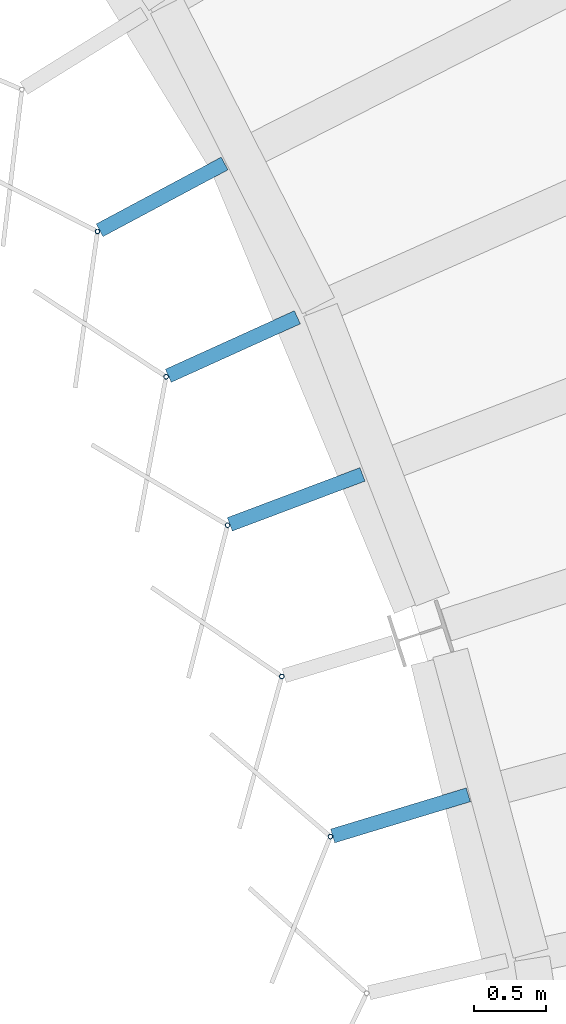
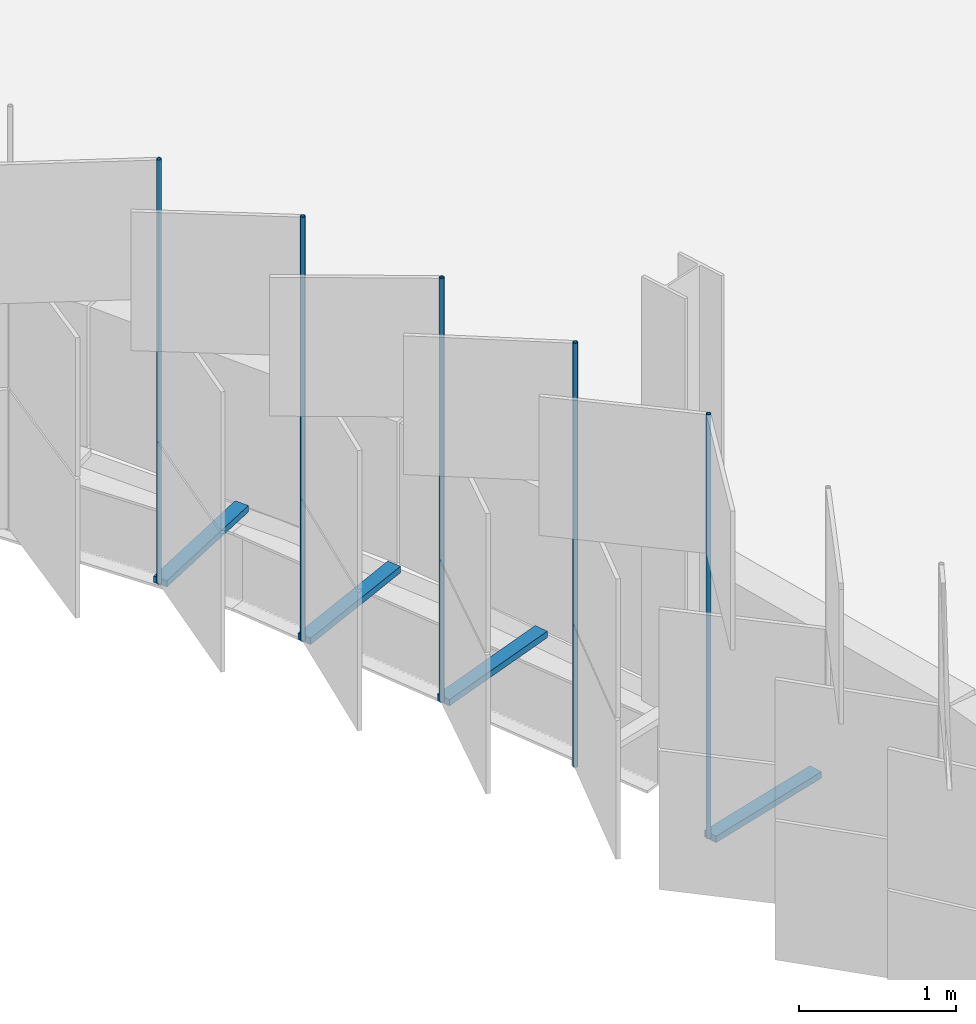
# One storey, part 102 of 198: 9 discrete accessories.
"""IFC4 building model written with IfcOpenShell, lengths in metres."""

import ifcopenshell
import ifcopenshell.guid

model = None  # the IFC model being written
_history = None  # IfcOwnerHistory: only IFC2X3 demands one
_inside = {}  # id of a spatial element -> (the spatial element, [elements in it])
_under = {}  # id of a project, library or spatial element -> (it, [spatial elements below it])
_declared = {}  # id of a project -> (the project, [libraries it declares])
_typed = {}  # id of a type object -> (the type object, [elements of that type])
_made_of = {}  # id of a material, layer set ... -> (it, [elements and type objects made of it])


def new_model(schema):
    """Start an empty IFC model of exactly this schema.

    Asked for "IFC4X3", IfcOpenShell would pick the latest addendum, in which some entities
    have other attributes; the version numbers below select the first issue.
    IFC2X3 requires an IfcOwnerHistory on every rooted entity: one is made here for all.
    """
    global model, _history
    if schema == "IFC4X3":
        model = ifcopenshell.file(schema_version=(4, 3, 0, 0))
    else:
        model = ifcopenshell.file(schema=schema)
    _inside.clear()
    _under.clear()
    _declared.clear()
    _typed.clear()
    _made_of.clear()
    _history = None
    if model.schema == "IFC2X3":
        org = make("IfcOrganization", Name="unknown")
        user = make(
            "IfcPersonAndOrganization",
            ThePerson=make("IfcPerson", FamilyName="unknown"),
            TheOrganization=org,
        )
        app = make(
            "IfcApplication",
            ApplicationDeveloper=org,
            Version="unknown",
            ApplicationFullName="unknown",
            ApplicationIdentifier="unknown",
        )
        _history = make(
            "IfcOwnerHistory",
            OwningUser=user,
            OwningApplication=app,
            ChangeAction="ADDED",
            CreationDate=0,
        )
    return model


def make(cls, **values):
    """One entity of the class cls with the attributes given. An attribute that is None is left unset."""
    return model.create_entity(
        cls, **{name: value for name, value in values.items() if value is not None}
    )


def rooted(cls, **values):
    """An entity with a GlobalId (a new one), such as an element, a storey or a relation."""
    return make(cls, GlobalId=ifcopenshell.guid.new(), OwnerHistory=_history, **values)


def si_unit(unit_type, name, prefix=None):
    """IfcSIUnit, for example si_unit("LENGTHUNIT", "METRE", prefix="MILLI")."""
    return make("IfcSIUnit", UnitType=unit_type, Prefix=prefix, Name=name)


def assignment(units):
    """IfcUnitAssignment: the units of a project."""
    return None if units is None else make("IfcUnitAssignment", Units=units)


def point(xyz):
    """IfcCartesianPoint."""
    return None if xyz is None else make("IfcCartesianPoint", Coordinates=xyz)


def direction(xyz):
    """IfcDirection."""
    return None if xyz is None else make("IfcDirection", DirectionRatios=xyz)


def frame(location, z_axis=None, x_axis=None):
    """IfcAxis2Placement3D, a coordinate frame: its origin and axes. An axis left out is left unset."""
    return make(
        "IfcAxis2Placement3D",
        Location=point(location),
        Axis=direction(z_axis),
        RefDirection=direction(x_axis),
    )


def frame_2d(location, x_axis=None):
    """IfcAxis2Placement2D, a coordinate frame in the plane: its origin and x axis."""
    return make(
        "IfcAxis2Placement2D", Location=point(location), RefDirection=direction(x_axis)
    )


def origin():
    """The frame at (0, 0, 0) with its axes left unset."""
    return frame((0.0, 0.0, 0.0))


def origin_2d():
    """The frame at (0, 0) in the plane with its x axis left unset."""
    return frame_2d((0.0, 0.0))


def place(relative_to, where):
    """IfcLocalPlacement: puts the frame where relative to a parent placement (None: the world)."""
    return make(
        "IfcLocalPlacement", PlacementRelTo=relative_to, RelativePlacement=where
    )


def context(
    kind, dimensions, precision=None, world=None, true_north=None, identifier=None
):
    """IfcGeometricRepresentationContext, for example the 3D "Model" context."""
    return make(
        "IfcGeometricRepresentationContext",
        ContextIdentifier=identifier,
        ContextType=kind,
        CoordinateSpaceDimension=dimensions,
        Precision=precision,
        WorldCoordinateSystem=world,
        TrueNorth=true_north,
    )


def subcontext(parent, identifier, kind, view, scale=None):
    """IfcGeometricRepresentationSubContext, for example "Body" below "Model"."""
    return make(
        "IfcGeometricRepresentationSubContext",
        ContextIdentifier=identifier,
        ContextType=kind,
        ParentContext=parent,
        TargetScale=scale,
        TargetView=view,
    )


def project(units=None, contexts=None):
    """IfcProject with its units and contexts."""
    return rooted(
        "IfcProject",
        Name="project",
        RepresentationContexts=contexts,
        UnitsInContext=assignment(units),
    )


def spatial(cls, under=None, at=None, **own):
    """A site, building, storey or space (cls), placed at a placement, below another one or the project."""
    s = rooted(cls, ObjectPlacement=at, **own)
    if under is not None:
        _under.setdefault(under.id(), (under, []))[1].append(s)
    return s


def profile(cls, at=None, kind="AREA", **sizes):
    """A parametric profile (cls). Its sizes go by their IFC names, for example OverallWidth=200.0."""
    return make(cls, ProfileType=kind, Position=at, **sizes)


def rectangle(**sizes):
    """IfcRectangleProfileDef."""
    return profile("IfcRectangleProfileDef", **sizes)


def hollow_circle(**sizes):
    """IfcCircleHollowProfileDef."""
    return profile("IfcCircleHollowProfileDef", **sizes)


def extrude(swept, where, along, depth):
    """IfcExtrudedAreaSolid: the profile swept, set in the frame where, extruded along a direction by depth."""
    return make(
        "IfcExtrudedAreaSolid",
        SweptArea=swept,
        Position=where,
        ExtrudedDirection=direction(along),
        Depth=depth,
    )


def shape(context_of_items, identifier, shape_type, items):
    """IfcShapeRepresentation: the items that make up one representation, for example the "Body"."""
    return make(
        "IfcShapeRepresentation",
        ContextOfItems=context_of_items,
        RepresentationIdentifier=identifier,
        RepresentationType=shape_type,
        Items=items,
    )


def material(Name=None, Category=None):
    """IfcMaterial."""
    return make("IfcMaterial", Name=Name, Category=Category)


def material_profile(
    of_material, cross_section, Name=None, Category=None, Priority=None
):
    """IfcMaterialProfile: a cross section and its material."""
    return make(
        "IfcMaterialProfile",
        Name=Name,
        Material=of_material,
        Profile=cross_section,
        Priority=Priority,
        Category=Category,
    )


def profile_set(profiles, Name=None, composite=None):
    """IfcMaterialProfileSet."""
    return make(
        "IfcMaterialProfileSet",
        Name=Name,
        MaterialProfiles=profiles,
        CompositeProfile=composite,
    )


def made_of(thing, what):
    """Note that an element or type object is made of a material, layer set ...; save() writes the relation."""
    if what is not None:
        _made_of.setdefault(what.id(), (what, []))[1].append(thing)
    return thing


def type_object(cls, material=None, **own):
    """A type object (cls), such as IfcWallType, which elements share."""
    return made_of(rooted(cls, **own), material)


def element(
    cls,
    number,
    at=None,
    inside=None,
    cuts=None,
    type_object=None,
    material=None,
    context=None,
    identifier="Body",
    shape_type=None,
    held_by="IfcProductDefinitionShape",
    body=None,
    shapes=None,
    **own,
):
    """One element of the class cls, such as IfcWall. Its Tag is "e" and its number.

    at: its placement. inside: the storey or other place that contains it. cuts: it is an
    opening in that element (IfcRelVoidsElement). A single representation is given by context,
    identifier, shape_type and body (its items); several are given by shapes. held_by: the class
    of the entity that holds the representations. save() writes the other relations.
    """
    e = rooted(cls, Tag="e%d" % number, ObjectPlacement=at, **own)
    if body is not None:
        shapes = [shape(context, identifier, shape_type, body)]
    if shapes is not None:
        e.Representation = make(held_by, Representations=shapes)
    if inside is not None:
        _inside.setdefault(inside.id(), (inside, []))[1].append(e)
    if cuts is not None:
        rooted(
            "IfcRelVoidsElement", RelatingBuildingElement=cuts, RelatedOpeningElement=e
        )
    if type_object is not None:
        _typed.setdefault(type_object.id(), (type_object, []))[1].append(e)
    return made_of(e, material)


def aggregate(whole, parts):
    """IfcRelAggregates: a whole, such as a stair, and the parts it consists of."""
    return rooted("IfcRelAggregates", RelatingObject=whole, RelatedObjects=parts)


def save(model, path):
    """Write the relations noted so far, then the file.

    IfcRelAggregates (storeys below a building ...), IfcRelContainedInSpatialStructure (elements
    in a storey), IfcRelDefinesByType, IfcRelAssociatesMaterial and IfcRelDeclares: one each for
    every whole, place, type object, material and project.
    """
    for whole, parts in _under.values():
        aggregate(whole, parts)
    for where, things in _inside.values():
        rooted(
            "IfcRelContainedInSpatialStructure",
            RelatedElements=things,
            RelatingStructure=where,
        )
    for kind, things in _typed.values():
        rooted("IfcRelDefinesByType", RelatedObjects=things, RelatingType=kind)
    for what, things in _made_of.values():
        rooted("IfcRelAssociatesMaterial", RelatedObjects=things, RelatingMaterial=what)
    for by, libraries in _declared.values():
        rooted("IfcRelDeclares", RelatingContext=by, RelatedDefinitions=libraries)
    model.write(path)


model = new_model("IFC4")

# Units and contexts
model_context = context("Model", 3, precision=1e-05, world=origin(), true_north=direction((0.0, 1.0)))
body_context = subcontext(model_context, "Body", "Model", "MODEL_VIEW")
ifc_project = project(units=[si_unit("LENGTHUNIT", "METRE"), si_unit("AREAUNIT", "SQUARE_METRE"), si_unit("VOLUMEUNIT", "CUBIC_METRE"), si_unit("PLANEANGLEUNIT", "RADIAN"), si_unit("MASSUNIT", "GRAM", prefix="KILO")], contexts=[model_context])

# Site, building, storey
site_placement = place(None, origin())
site = spatial("IfcSite", under=ifc_project, at=site_placement, CompositionType="ELEMENT")
building_placement = place(site_placement, origin())
building = spatial("IfcBuilding", under=site, at=building_placement, Name="Parallax Yard Mobility Hub", CompositionType="ELEMENT")
storey_placement = place(building_placement, frame((0.0, 0.0, 6.60009765625)))
storey = spatial("IfcBuildingStorey", under=building, at=storey_placement, Name="L02", CompositionType="ELEMENT", Elevation=6.60009765625)

# Discrete accessories
ifc_material_1 = material(Name="Steel ASTM A36, hot-dip galvanised", Category="steel")
discrete_accessory_type_1 = type_object("IfcDiscreteAccessoryType", Name="Hinge bracket plate 100x50", PredefinedType="BRACKET", material=ifc_material_1)
for number, where, z_axis, x_axis, name in (
    (1, (192.1044921875, 99.98486328125, -0.02490234375), (0.0, 0.0, 1.0), (-0.881921264348, -0.471396736826, 0.0), "Hinge bracket plate bay 21.4 level L02"),
    (2, (192.595703125, 98.94580078125, -0.02490234375), (0.0, 0.0, 1.0), (-0.910863824921, -0.412707029804, 0.0), "Hinge bracket plate bay 21.5 level L02"),
    (3, (193.035400390625, 97.884521484375, -0.02490234375), (0.0, 0.0, 1.0), (-0.935905926757, -0.352250047921, 0.0), "Hinge bracket plate bay 21.6 level L02"),
    (4, (193.760009765625, 95.690185546875, -0.02490234375), (0.0, 0.0, 1.0), (-0.956940335732, -0.290284677254, 0.0), "Hinge bracket plate bay 22.2 level L02"),
):
    element("IfcDiscreteAccessory", number, at=place(storey_placement, frame(where, z_axis=z_axis, x_axis=x_axis)), inside=storey, type_object=discrete_accessory_type_1, Name=name, PredefinedType="BRACKET", context=body_context, shape_type="SweptSolid", body=[
        extrude(rectangle(XDim=0.984130859375, YDim=0.10009765625, at=origin_2d()), origin(), (0.0, 0.0, 1.0), 0.050048828125),
    ])
ifc_material_2 = material(Name="Steel ASTM A500 Gr C, hot-dip galvanised", Category="steel")
ifc_material_profile = material_profile(ifc_material_2, hollow_circle(Radius=0.016845703125, WallThickness=0.003173828125, at=origin_2d()), Name="CHS 33.7x3.2")
ifc_profile_set = profile_set([ifc_material_profile], Name="Steel ASTM A500 Gr C, hot-dip galvanised")
discrete_accessory_type_2 = type_object("IfcDiscreteAccessoryType", Name="Hinge post CHS 33.7x3.2", PredefinedType="BRACKET", material=ifc_profile_set)
for number, where, z_axis, x_axis, name in (
    (5, (191.656005859375, 99.7451171875, 0.0), (0.0, 0.0, 1.0), (1.0, 0.0, 0.0), "Hinge post bay 21.4 level L02"),
    (6, (192.132568359375, 98.736083984375, 0.0), (0.0, 0.0, 1.0), (1.0, 0.0, 0.0), "Hinge post bay 21.5 level L02"),
    (7, (192.559326171875, 97.705322265625, 0.0), (0.0, 0.0, 1.0), (1.0, 0.0, 0.0), "Hinge post bay 21.6 level L02"),
    (8, (192.93603515625, 96.65478515625, 0.0), (0.0, 0.0, 1.0), (1.0, 0.0, 0.0), "Hinge post bay 22.1 level L02"),
    (9, (193.2734375, 95.542724609375, 0.0), (0.0, 0.0, 1.0), (1.0, 0.0, 0.0), "Hinge post bay 22.2 level L02"),
):
    element("IfcDiscreteAccessory", number, at=place(storey_placement, frame(where, z_axis=z_axis, x_axis=x_axis)), inside=storey, type_object=discrete_accessory_type_2, Name=name, PredefinedType="BRACKET", context=body_context, shape_type="SweptSolid", body=[
        extrude(hollow_circle(Radius=0.016845703125, WallThickness=0.003173828125, at=origin_2d()), origin(), (0.0, 0.0, 1.0), 3.2998046875),
    ])

save(model, "model.ifc")
